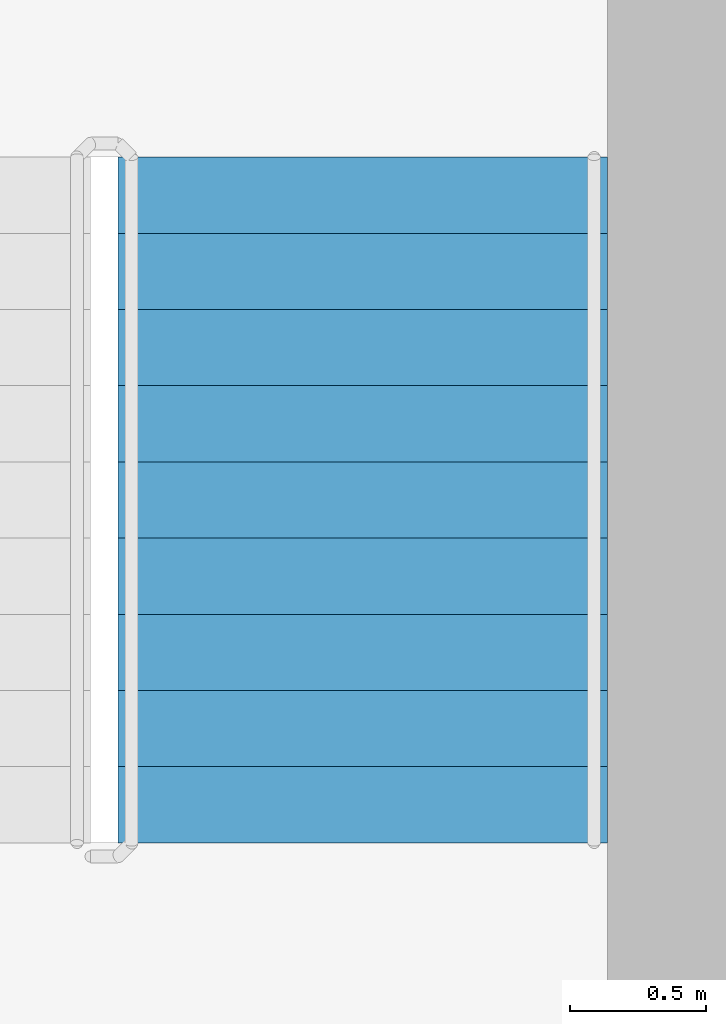
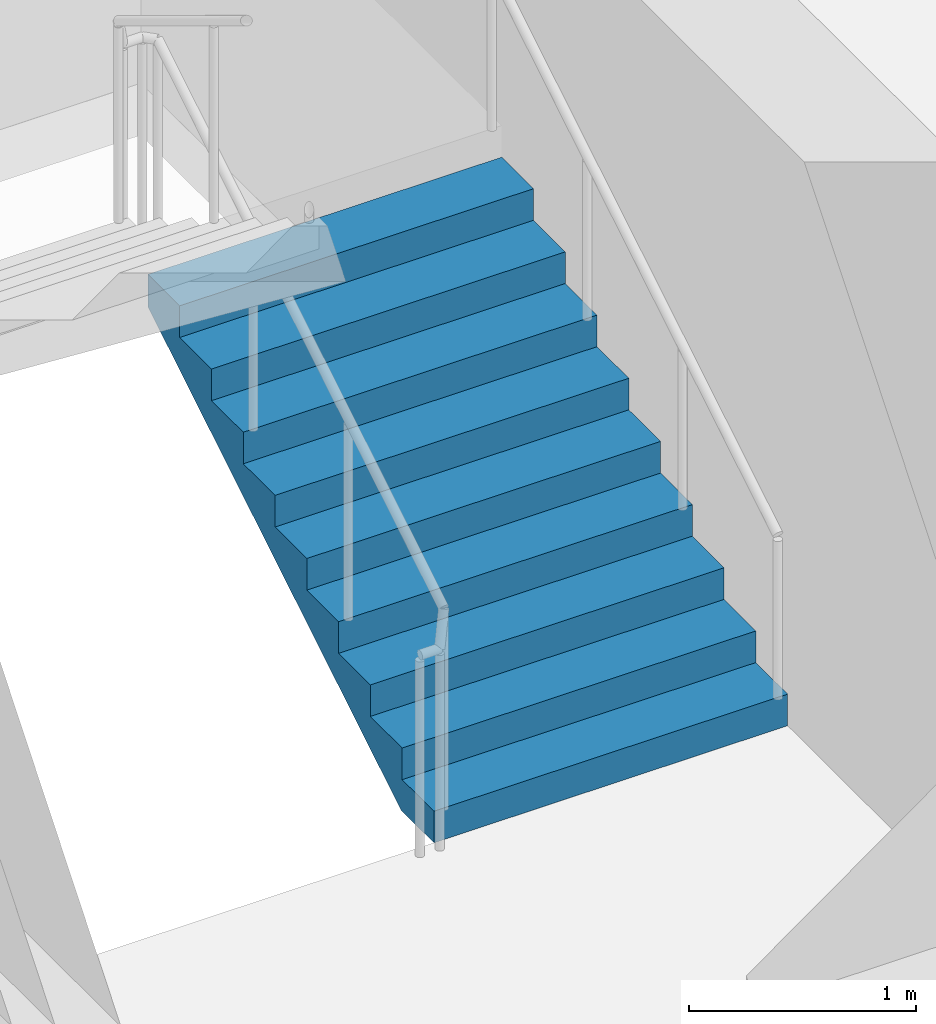
# One storey, part 10 of 18: 1 stair flight, 1 element without a shape of its own.
"""IFC4 building model written with IfcOpenShell, lengths in metres."""

import ifcopenshell
import ifcopenshell.guid

model = None  # the IFC model being written
_history = None  # IfcOwnerHistory: only IFC2X3 demands one
_inside = {}  # id of a spatial element -> (the spatial element, [elements in it])
_under = {}  # id of a project, library or spatial element -> (it, [spatial elements below it])
_declared = {}  # id of a project -> (the project, [libraries it declares])
_typed = {}  # id of a type object -> (the type object, [elements of that type])
_made_of = {}  # id of a material, layer set ... -> (it, [elements and type objects made of it])


def new_model(schema):
    """Start an empty IFC model of exactly this schema.

    Asked for "IFC4X3", IfcOpenShell would pick the latest addendum, in which some entities
    have other attributes; the version numbers below select the first issue.
    IFC2X3 requires an IfcOwnerHistory on every rooted entity: one is made here for all.
    """
    global model, _history
    if schema == "IFC4X3":
        model = ifcopenshell.file(schema_version=(4, 3, 0, 0))
    else:
        model = ifcopenshell.file(schema=schema)
    _inside.clear()
    _under.clear()
    _declared.clear()
    _typed.clear()
    _made_of.clear()
    _history = None
    if model.schema == "IFC2X3":
        org = make("IfcOrganization", Name="unknown")
        user = make(
            "IfcPersonAndOrganization",
            ThePerson=make("IfcPerson", FamilyName="unknown"),
            TheOrganization=org,
        )
        app = make(
            "IfcApplication",
            ApplicationDeveloper=org,
            Version="unknown",
            ApplicationFullName="unknown",
            ApplicationIdentifier="unknown",
        )
        _history = make(
            "IfcOwnerHistory",
            OwningUser=user,
            OwningApplication=app,
            ChangeAction="ADDED",
            CreationDate=0,
        )
    return model


def make(cls, **values):
    """One entity of the class cls with the attributes given. An attribute that is None is left unset."""
    return model.create_entity(
        cls, **{name: value for name, value in values.items() if value is not None}
    )


def rooted(cls, **values):
    """An entity with a GlobalId (a new one), such as an element, a storey or a relation."""
    return make(cls, GlobalId=ifcopenshell.guid.new(), OwnerHistory=_history, **values)


def si_unit(unit_type, name, prefix=None):
    """IfcSIUnit, for example si_unit("LENGTHUNIT", "METRE", prefix="MILLI")."""
    return make("IfcSIUnit", UnitType=unit_type, Prefix=prefix, Name=name)


def assignment(units):
    """IfcUnitAssignment: the units of a project."""
    return None if units is None else make("IfcUnitAssignment", Units=units)


def point(xyz):
    """IfcCartesianPoint."""
    return None if xyz is None else make("IfcCartesianPoint", Coordinates=xyz)


def direction(xyz):
    """IfcDirection."""
    return None if xyz is None else make("IfcDirection", DirectionRatios=xyz)


def frame(location, z_axis=None, x_axis=None):
    """IfcAxis2Placement3D, a coordinate frame: its origin and axes. An axis left out is left unset."""
    return make(
        "IfcAxis2Placement3D",
        Location=point(location),
        Axis=direction(z_axis),
        RefDirection=direction(x_axis),
    )


def origin():
    """The frame at (0, 0, 0) with its axes left unset."""
    return frame((0.0, 0.0, 0.0))


def place(relative_to, where):
    """IfcLocalPlacement: puts the frame where relative to a parent placement (None: the world)."""
    return make(
        "IfcLocalPlacement", PlacementRelTo=relative_to, RelativePlacement=where
    )


def context(
    kind, dimensions, precision=None, world=None, true_north=None, identifier=None
):
    """IfcGeometricRepresentationContext, for example the 3D "Model" context."""
    return make(
        "IfcGeometricRepresentationContext",
        ContextIdentifier=identifier,
        ContextType=kind,
        CoordinateSpaceDimension=dimensions,
        Precision=precision,
        WorldCoordinateSystem=world,
        TrueNorth=true_north,
    )


def subcontext(parent, identifier, kind, view, scale=None):
    """IfcGeometricRepresentationSubContext, for example "Body" below "Model"."""
    return make(
        "IfcGeometricRepresentationSubContext",
        ContextIdentifier=identifier,
        ContextType=kind,
        ParentContext=parent,
        TargetScale=scale,
        TargetView=view,
    )


def project(units=None, contexts=None):
    """IfcProject with its units and contexts."""
    return rooted(
        "IfcProject",
        Name="project",
        RepresentationContexts=contexts,
        UnitsInContext=assignment(units),
    )


def spatial(cls, under=None, at=None, **own):
    """A site, building, storey or space (cls), placed at a placement, below another one or the project."""
    s = rooted(cls, ObjectPlacement=at, **own)
    if under is not None:
        _under.setdefault(under.id(), (under, []))[1].append(s)
    return s


def point_list(points):
    """IfcCartesianPointList2D or 3D."""
    cls = (
        "IfcCartesianPointList2D" if len(points[0]) == 2 else "IfcCartesianPointList3D"
    )
    return make(cls, CoordList=points)


def triangles(points, corners, closed=None, point_numbers=None):
    """IfcTriangulatedFaceSet: each triangle names its three corners, points numbered from 1."""
    return make(
        "IfcTriangulatedFaceSet",
        Coordinates=point_list(points),
        Closed=closed,
        CoordIndex=corners,
        PnIndex=point_numbers,
    )


def shape(context_of_items, identifier, shape_type, items):
    """IfcShapeRepresentation: the items that make up one representation, for example the "Body"."""
    return make(
        "IfcShapeRepresentation",
        ContextOfItems=context_of_items,
        RepresentationIdentifier=identifier,
        RepresentationType=shape_type,
        Items=items,
    )


def source(mapping_origin, context_of_items, identifier, shape_type, items):
    """IfcRepresentationMap: a shape defined once, which mapped items show again and again."""
    return make(
        "IfcRepresentationMap",
        MappingOrigin=mapping_origin,
        MappedRepresentation=shape(context_of_items, identifier, shape_type, items),
    )


def transform(
    local_origin,
    x_axis=None,
    y_axis=None,
    z_axis=None,
    scale=None,
    scale2=None,
    scale3=None,
    uniform=True,
):
    """IfcCartesianTransformationOperator3D, or its non-uniform kind. x_axis, y_axis, z_axis: its Axis1, 2, 3."""
    if uniform:
        return make(
            "IfcCartesianTransformationOperator3D",
            Axis1=direction(x_axis),
            Axis2=direction(y_axis),
            LocalOrigin=point(local_origin),
            Scale=scale,
            Axis3=direction(z_axis),
        )
    return make(
        "IfcCartesianTransformationOperator3DnonUniform",
        Axis1=direction(x_axis),
        Axis2=direction(y_axis),
        LocalOrigin=point(local_origin),
        Scale=scale,
        Axis3=direction(z_axis),
        Scale2=scale2,
        Scale3=scale3,
    )


def mapped(mapping_source, mapping_target):
    """IfcMappedItem: shows the shape of a source again, moved by a transform."""
    return make(
        "IfcMappedItem", MappingSource=mapping_source, MappingTarget=mapping_target
    )


def material(Name=None, Category=None):
    """IfcMaterial."""
    return make("IfcMaterial", Name=Name, Category=Category)


def made_of(thing, what):
    """Note that an element or type object is made of a material, layer set ...; save() writes the relation."""
    if what is not None:
        _made_of.setdefault(what.id(), (what, []))[1].append(thing)
    return thing


def type_object(cls, material=None, **own):
    """A type object (cls), such as IfcWallType, which elements share."""
    return made_of(rooted(cls, **own), material)


def element(
    cls,
    number,
    at=None,
    inside=None,
    cuts=None,
    type_object=None,
    material=None,
    context=None,
    identifier="Body",
    shape_type=None,
    held_by="IfcProductDefinitionShape",
    body=None,
    shapes=None,
    **own,
):
    """One element of the class cls, such as IfcWall. Its Tag is "e" and its number.

    at: its placement. inside: the storey or other place that contains it. cuts: it is an
    opening in that element (IfcRelVoidsElement). A single representation is given by context,
    identifier, shape_type and body (its items); several are given by shapes. held_by: the class
    of the entity that holds the representations. save() writes the other relations.
    """
    e = rooted(cls, Tag="e%d" % number, ObjectPlacement=at, **own)
    if body is not None:
        shapes = [shape(context, identifier, shape_type, body)]
    if shapes is not None:
        e.Representation = make(held_by, Representations=shapes)
    if inside is not None:
        _inside.setdefault(inside.id(), (inside, []))[1].append(e)
    if cuts is not None:
        rooted(
            "IfcRelVoidsElement", RelatingBuildingElement=cuts, RelatedOpeningElement=e
        )
    if type_object is not None:
        _typed.setdefault(type_object.id(), (type_object, []))[1].append(e)
    return made_of(e, material)


def aggregate(whole, parts):
    """IfcRelAggregates: a whole, such as a stair, and the parts it consists of."""
    return rooted("IfcRelAggregates", RelatingObject=whole, RelatedObjects=parts)


def save(model, path):
    """Write the relations noted so far, then the file.

    IfcRelAggregates (storeys below a building ...), IfcRelContainedInSpatialStructure (elements
    in a storey), IfcRelDefinesByType, IfcRelAssociatesMaterial and IfcRelDeclares: one each for
    every whole, place, type object, material and project.
    """
    for whole, parts in _under.values():
        aggregate(whole, parts)
    for where, things in _inside.values():
        rooted(
            "IfcRelContainedInSpatialStructure",
            RelatedElements=things,
            RelatingStructure=where,
        )
    for kind, things in _typed.values():
        rooted("IfcRelDefinesByType", RelatedObjects=things, RelatingType=kind)
    for what, things in _made_of.values():
        rooted("IfcRelAssociatesMaterial", RelatedObjects=things, RelatingMaterial=what)
    for by, libraries in _declared.values():
        rooted("IfcRelDeclares", RelatingContext=by, RelatedDefinitions=libraries)
    model.write(path)


model = new_model("IFC4")

# Units and contexts
model_context = context("Model", 3, precision=1e-05, world=origin(), true_north=direction((0.0, 1.0)))
body_context = subcontext(model_context, "Body", "Model", "MODEL_VIEW")
ifc_project = project(units=[si_unit("LENGTHUNIT", "METRE"), si_unit("AREAUNIT", "SQUARE_METRE"), si_unit("VOLUMEUNIT", "CUBIC_METRE"), si_unit("PLANEANGLEUNIT", "RADIAN"), si_unit("MASSUNIT", "GRAM", prefix="KILO")], contexts=[model_context])

# Site, building, storey
site_placement = place(None, origin())
site = spatial("IfcSite", under=ifc_project, at=site_placement, CompositionType="ELEMENT")
building_placement = place(site_placement, origin())
building = spatial("IfcBuilding", under=site, at=building_placement, Name="Kilnfold Tower and Market Hall", CompositionType="ELEMENT")
storey_placement = place(building_placement, frame((0.0, 0.0, 312.0)))
storey = spatial("IfcBuildingStorey", under=building, at=storey_placement, Name="L78", CompositionType="ELEMENT", Elevation=312.0)

# Stair, stair flight
ifc_material_1 = material(Name="Concrete C40/50", Category="concrete")
stair_type = type_object("IfcStairType", Name="CORE STAIR 1800", PredefinedType="HALF_TURN_STAIR", material=ifc_material_1)
stair_placement = place(storey_placement, origin())
stair = element("IfcStair", 1, at=stair_placement, inside=storey, type_object=stair_type, Name="L78 ST2", PredefinedType="HALF_TURN_STAIR")
ifc_material_2 = material(Name="Concrete C40/50", Category="concrete")
stair_flight_type = type_object("IfcStairFlightType", Name="CORE STAIR FLIGHT 1800", PredefinedType="STRAIGHT", material=ifc_material_2)
shared_shape = source(origin(), body_context, "Body", "Tessellation", [
    triangles([(0.0, 0.89990234375, 0.0), (0.0, 0.78759765625, 0.0), (0.0, 0.675048828125, 0.0), (0.0, 0.5625, 0.0), (0.0, 0.449951171875, 0.0), (0.0, 0.33740234375, 0.0), (0.0, 0.22509765625, 0.0), (0.0, 0.112548828125, 0.0), (0.0, 0.0, 0.0), (0.0, -0.112548828125, 0.0), (0.0, -0.22509765625, 0.0), (0.0, -0.33740234375, 0.0), (0.0, -0.449951171875, 0.0), (0.0, -0.5625, 0.0), (0.0, -0.675048828125, 0.0), (0.0, -0.78759765625, 0.0), (0.0, -0.89990234375, 0.0), (0.0, 0.89990234375, 0.169921875), (0.0, 0.78759765625, 0.169921875), (0.0, 0.675048828125, 0.169921875), (0.0, 0.5625, 0.169921875), (0.0, 0.449951171875, 0.169921875), (0.0, 0.33740234375, 0.169921875), (0.0, 0.22509765625, 0.169921875), (0.0, 0.112548828125, 0.169921875), (0.0, 0.0, 0.169921875), (0.0, -0.112548828125, 0.169921875), (0.0, -0.22509765625, 0.169921875), (0.0, -0.33740234375, 0.169921875), (0.0, -0.449951171875, 0.169921875), (0.0, -0.5625, 0.169921875), (0.0, -0.675048828125, 0.169921875), (0.0, -0.78759765625, 0.169921875), (0.0, -0.89990234375, 0.169921875), (0.280029296875, 0.89990234375, 0.169921875), (0.280029296875, 0.78759765625, 0.169921875), (0.280029296875, 0.675048828125, 0.169921875), (0.280029296875, 0.5625, 0.169921875), (0.280029296875, 0.449951171875, 0.169921875), (0.280029296875, 0.33740234375, 0.169921875), (0.280029296875, 0.22509765625, 0.169921875), (0.280029296875, 0.112548828125, 0.169921875), (0.280029296875, 0.0, 0.169921875), (0.280029296875, -0.112548828125, 0.169921875), (0.280029296875, -0.22509765625, 0.169921875), (0.280029296875, -0.33740234375, 0.169921875), (0.280029296875, -0.449951171875, 0.169921875), (0.280029296875, -0.5625, 0.169921875), (0.280029296875, -0.675048828125, 0.169921875), (0.280029296875, -0.78759765625, 0.169921875), (0.280029296875, -0.89990234375, 0.169921875), (0.280029296875, 0.89990234375, 0.340087890625), (0.280029296875, 0.78759765625, 0.340087890625), (0.280029296875, 0.675048828125, 0.340087890625), (0.280029296875, 0.5625, 0.340087890625), (0.280029296875, 0.449951171875, 0.340087890625), (0.280029296875, 0.33740234375, 0.340087890625), (0.280029296875, 0.22509765625, 0.340087890625), (0.280029296875, 0.112548828125, 0.340087890625), (0.280029296875, 0.0, 0.340087890625), (0.280029296875, -0.112548828125, 0.340087890625), (0.280029296875, -0.22509765625, 0.340087890625), (0.280029296875, -0.33740234375, 0.340087890625), (0.280029296875, -0.449951171875, 0.340087890625), (0.280029296875, -0.5625, 0.340087890625), (0.280029296875, -0.675048828125, 0.340087890625), (0.280029296875, -0.78759765625, 0.340087890625), (0.280029296875, -0.89990234375, 0.340087890625), (0.56005859375, 0.89990234375, 0.340087890625), (0.56005859375, 0.78759765625, 0.340087890625), (0.56005859375, 0.675048828125, 0.340087890625), (0.56005859375, 0.5625, 0.340087890625), (0.56005859375, 0.449951171875, 0.340087890625), (0.56005859375, 0.33740234375, 0.340087890625), (0.56005859375, 0.22509765625, 0.340087890625), (0.56005859375, 0.112548828125, 0.340087890625), (0.56005859375, 0.0, 0.340087890625), (0.56005859375, -0.112548828125, 0.340087890625), (0.56005859375, -0.22509765625, 0.340087890625), (0.56005859375, -0.33740234375, 0.340087890625), (0.56005859375, -0.449951171875, 0.340087890625), (0.56005859375, -0.5625, 0.340087890625), (0.56005859375, -0.675048828125, 0.340087890625), (0.56005859375, -0.78759765625, 0.340087890625), (0.56005859375, -0.89990234375, 0.340087890625), (0.56005859375, 0.89990234375, 0.510009765625), (0.56005859375, 0.78759765625, 0.510009765625), (0.56005859375, 0.675048828125, 0.510009765625), (0.56005859375, 0.5625, 0.510009765625), (0.56005859375, 0.449951171875, 0.510009765625), (0.56005859375, 0.33740234375, 0.510009765625), (0.56005859375, 0.22509765625, 0.510009765625), (0.56005859375, 0.112548828125, 0.510009765625), (0.56005859375, 0.0, 0.510009765625), (0.56005859375, -0.112548828125, 0.510009765625), (0.56005859375, -0.22509765625, 0.510009765625), (0.56005859375, -0.33740234375, 0.510009765625), (0.56005859375, -0.449951171875, 0.510009765625), (0.56005859375, -0.5625, 0.510009765625), (0.56005859375, -0.675048828125, 0.510009765625), (0.56005859375, -0.78759765625, 0.510009765625), (0.56005859375, -0.89990234375, 0.510009765625), (0.840087890625, 0.89990234375, 0.510009765625), (0.840087890625, 0.78759765625, 0.510009765625), (0.840087890625, 0.675048828125, 0.510009765625), (0.840087890625, 0.5625, 0.510009765625), (0.840087890625, 0.449951171875, 0.510009765625), (0.840087890625, 0.33740234375, 0.510009765625), (0.840087890625, 0.22509765625, 0.510009765625), (0.840087890625, 0.112548828125, 0.510009765625), (0.840087890625, 0.0, 0.510009765625), (0.840087890625, -0.112548828125, 0.510009765625), (0.840087890625, -0.22509765625, 0.510009765625), (0.840087890625, -0.33740234375, 0.510009765625), (0.840087890625, -0.449951171875, 0.510009765625), (0.840087890625, -0.5625, 0.510009765625), (0.840087890625, -0.675048828125, 0.510009765625), (0.840087890625, -0.78759765625, 0.510009765625), (0.840087890625, -0.89990234375, 0.510009765625), (0.840087890625, 0.89990234375, 0.679931640625), (0.840087890625, 0.78759765625, 0.679931640625), (0.840087890625, 0.675048828125, 0.679931640625), (0.840087890625, 0.5625, 0.679931640625), (0.840087890625, 0.449951171875, 0.679931640625), (0.840087890625, 0.33740234375, 0.679931640625), (0.840087890625, 0.22509765625, 0.679931640625), (0.840087890625, 0.112548828125, 0.679931640625), (0.840087890625, 0.0, 0.679931640625), (0.840087890625, -0.112548828125, 0.679931640625), (0.840087890625, -0.22509765625, 0.679931640625), (0.840087890625, -0.33740234375, 0.679931640625), (0.840087890625, -0.449951171875, 0.679931640625), (0.840087890625, -0.5625, 0.679931640625), (0.840087890625, -0.675048828125, 0.679931640625), (0.840087890625, -0.78759765625, 0.679931640625), (0.840087890625, -0.89990234375, 0.679931640625), (1.1201171875, 0.89990234375, 0.679931640625), (1.1201171875, 0.78759765625, 0.679931640625), (1.1201171875, 0.675048828125, 0.679931640625), (1.1201171875, 0.5625, 0.679931640625), (1.1201171875, 0.449951171875, 0.679931640625), (1.1201171875, 0.33740234375, 0.679931640625), (1.1201171875, 0.22509765625, 0.679931640625), (1.1201171875, 0.112548828125, 0.679931640625), (1.1201171875, 0.0, 0.679931640625), (1.1201171875, -0.112548828125, 0.679931640625), (1.1201171875, -0.22509765625, 0.679931640625), (1.1201171875, -0.33740234375, 0.679931640625), (1.1201171875, -0.449951171875, 0.679931640625), (1.1201171875, -0.5625, 0.679931640625), (1.1201171875, -0.675048828125, 0.679931640625), (1.1201171875, -0.78759765625, 0.679931640625), (1.1201171875, -0.89990234375, 0.679931640625), (1.1201171875, 0.89990234375, 0.85009765625), (1.1201171875, 0.78759765625, 0.85009765625), (1.1201171875, 0.675048828125, 0.85009765625), (1.1201171875, 0.5625, 0.85009765625), (1.1201171875, 0.449951171875, 0.85009765625), (1.1201171875, 0.33740234375, 0.85009765625), (1.1201171875, 0.22509765625, 0.85009765625), (1.1201171875, 0.112548828125, 0.85009765625), (1.1201171875, 0.0, 0.85009765625), (1.1201171875, -0.112548828125, 0.85009765625), (1.1201171875, -0.22509765625, 0.85009765625), (1.1201171875, -0.33740234375, 0.85009765625), (1.1201171875, -0.449951171875, 0.85009765625), (1.1201171875, -0.5625, 0.85009765625), (1.1201171875, -0.675048828125, 0.85009765625), (1.1201171875, -0.78759765625, 0.85009765625), (1.1201171875, -0.89990234375, 0.85009765625), (1.39990234375, 0.89990234375, 0.85009765625), (1.39990234375, 0.78759765625, 0.85009765625), (1.39990234375, 0.675048828125, 0.85009765625), (1.39990234375, 0.5625, 0.85009765625), (1.39990234375, 0.449951171875, 0.85009765625), (1.39990234375, 0.33740234375, 0.85009765625), (1.39990234375, 0.22509765625, 0.85009765625), (1.39990234375, 0.112548828125, 0.85009765625), (1.39990234375, 0.0, 0.85009765625), (1.39990234375, -0.112548828125, 0.85009765625), (1.39990234375, -0.22509765625, 0.85009765625), (1.39990234375, -0.33740234375, 0.85009765625), (1.39990234375, -0.449951171875, 0.85009765625), (1.39990234375, -0.5625, 0.85009765625), (1.39990234375, -0.675048828125, 0.85009765625), (1.39990234375, -0.78759765625, 0.85009765625), (1.39990234375, -0.89990234375, 0.85009765625), (1.39990234375, 0.89990234375, 1.02001953125), (1.39990234375, 0.78759765625, 1.02001953125), (1.39990234375, 0.675048828125, 1.02001953125), (1.39990234375, 0.5625, 1.02001953125), (1.39990234375, 0.449951171875, 1.02001953125), (1.39990234375, 0.33740234375, 1.02001953125), (1.39990234375, 0.22509765625, 1.02001953125), (1.39990234375, 0.112548828125, 1.02001953125), (1.39990234375, 0.0, 1.02001953125), (1.39990234375, -0.112548828125, 1.02001953125), (1.39990234375, -0.22509765625, 1.02001953125), (1.39990234375, -0.33740234375, 1.02001953125), (1.39990234375, -0.449951171875, 1.02001953125), (1.39990234375, -0.5625, 1.02001953125), (1.39990234375, -0.675048828125, 1.02001953125), (1.39990234375, -0.78759765625, 1.02001953125), (1.39990234375, -0.89990234375, 1.02001953125), (1.679931640625, 0.89990234375, 1.02001953125), (1.679931640625, 0.78759765625, 1.02001953125), (1.679931640625, 0.675048828125, 1.02001953125), (1.679931640625, 0.5625, 1.02001953125), (1.679931640625, 0.449951171875, 1.02001953125), (1.679931640625, 0.33740234375, 1.02001953125), (1.679931640625, 0.22509765625, 1.02001953125), (1.679931640625, 0.112548828125, 1.02001953125), (1.679931640625, 0.0, 1.02001953125), (1.679931640625, -0.112548828125, 1.02001953125), (1.679931640625, -0.22509765625, 1.02001953125), (1.679931640625, -0.33740234375, 1.02001953125), (1.679931640625, -0.449951171875, 1.02001953125), (1.679931640625, -0.5625, 1.02001953125), (1.679931640625, -0.675048828125, 1.02001953125), (1.679931640625, -0.78759765625, 1.02001953125), (1.679931640625, -0.89990234375, 1.02001953125), (1.679931640625, 0.89990234375, 1.18994140625), (1.679931640625, 0.78759765625, 1.18994140625), (1.679931640625, 0.675048828125, 1.18994140625), (1.679931640625, 0.5625, 1.18994140625), (1.679931640625, 0.449951171875, 1.18994140625), (1.679931640625, 0.33740234375, 1.18994140625), (1.679931640625, 0.22509765625, 1.18994140625), (1.679931640625, 0.112548828125, 1.18994140625), (1.679931640625, 0.0, 1.18994140625), (1.679931640625, -0.112548828125, 1.18994140625), (1.679931640625, -0.22509765625, 1.18994140625), (1.679931640625, -0.33740234375, 1.18994140625), (1.679931640625, -0.449951171875, 1.18994140625), (1.679931640625, -0.5625, 1.18994140625), (1.679931640625, -0.675048828125, 1.18994140625), (1.679931640625, -0.78759765625, 1.18994140625), (1.679931640625, -0.89990234375, 1.18994140625), (1.9599609375, 0.89990234375, 1.18994140625), (1.9599609375, 0.78759765625, 1.18994140625), (1.9599609375, 0.675048828125, 1.18994140625), (1.9599609375, 0.5625, 1.18994140625), (1.9599609375, 0.449951171875, 1.18994140625), (1.9599609375, 0.33740234375, 1.18994140625), (1.9599609375, 0.22509765625, 1.18994140625), (1.9599609375, 0.112548828125, 1.18994140625), (1.9599609375, 0.0, 1.18994140625), (1.9599609375, -0.112548828125, 1.18994140625), (1.9599609375, -0.22509765625, 1.18994140625), (1.9599609375, -0.33740234375, 1.18994140625), (1.9599609375, -0.449951171875, 1.18994140625), (1.9599609375, -0.5625, 1.18994140625), (1.9599609375, -0.675048828125, 1.18994140625), (1.9599609375, -0.78759765625, 1.18994140625), (1.9599609375, -0.89990234375, 1.18994140625), (1.9599609375, 0.89990234375, 1.360107421875), (1.9599609375, 0.78759765625, 1.360107421875), (1.9599609375, 0.675048828125, 1.360107421875), (1.9599609375, 0.5625, 1.360107421875), (1.9599609375, 0.449951171875, 1.360107421875), (1.9599609375, 0.33740234375, 1.360107421875), (1.9599609375, 0.22509765625, 1.360107421875), (1.9599609375, 0.112548828125, 1.360107421875), (1.9599609375, 0.0, 1.360107421875), (1.9599609375, -0.112548828125, 1.360107421875), (1.9599609375, -0.22509765625, 1.360107421875), (1.9599609375, -0.33740234375, 1.360107421875), (1.9599609375, -0.449951171875, 1.360107421875), (1.9599609375, -0.5625, 1.360107421875), (1.9599609375, -0.675048828125, 1.360107421875), (1.9599609375, -0.78759765625, 1.360107421875), (1.9599609375, -0.89990234375, 1.360107421875), (2.239990234375, 0.89990234375, 1.360107421875), (2.239990234375, 0.78759765625, 1.360107421875), (2.239990234375, 0.675048828125, 1.360107421875), (2.239990234375, 0.5625, 1.360107421875), (2.239990234375, 0.449951171875, 1.360107421875), (2.239990234375, 0.33740234375, 1.360107421875), (2.239990234375, 0.22509765625, 1.360107421875), (2.239990234375, 0.112548828125, 1.360107421875), (2.239990234375, 0.0, 1.360107421875), (2.239990234375, -0.112548828125, 1.360107421875), (2.239990234375, -0.22509765625, 1.360107421875), (2.239990234375, -0.33740234375, 1.360107421875), (2.239990234375, -0.449951171875, 1.360107421875), (2.239990234375, -0.5625, 1.360107421875), (2.239990234375, -0.675048828125, 1.360107421875), (2.239990234375, -0.78759765625, 1.360107421875), (2.239990234375, -0.89990234375, 1.360107421875), (2.239990234375, 0.89990234375, 1.530029296875), (2.239990234375, 0.78759765625, 1.530029296875), (2.239990234375, 0.675048828125, 1.530029296875), (2.239990234375, 0.5625, 1.530029296875), (2.239990234375, 0.449951171875, 1.530029296875), (2.239990234375, 0.33740234375, 1.530029296875), (2.239990234375, 0.22509765625, 1.530029296875), (2.239990234375, 0.112548828125, 1.530029296875), (2.239990234375, 0.0, 1.530029296875), (2.239990234375, -0.112548828125, 1.530029296875), (2.239990234375, -0.22509765625, 1.530029296875), (2.239990234375, -0.33740234375, 1.530029296875), (2.239990234375, -0.449951171875, 1.530029296875), (2.239990234375, -0.5625, 1.530029296875), (2.239990234375, -0.675048828125, 1.530029296875), (2.239990234375, -0.78759765625, 1.530029296875), (2.239990234375, -0.89990234375, 1.530029296875), (2.52001953125, 0.89990234375, 1.530029296875), (2.52001953125, 0.78759765625, 1.530029296875), (2.52001953125, 0.675048828125, 1.530029296875), (2.52001953125, 0.5625, 1.530029296875), (2.52001953125, 0.449951171875, 1.530029296875), (2.52001953125, 0.33740234375, 1.530029296875), (2.52001953125, 0.22509765625, 1.530029296875), (2.52001953125, 0.112548828125, 1.530029296875), (2.52001953125, 0.0, 1.530029296875), (2.52001953125, -0.112548828125, 1.530029296875), (2.52001953125, -0.22509765625, 1.530029296875), (2.52001953125, -0.33740234375, 1.530029296875), (2.52001953125, -0.449951171875, 1.530029296875), (2.52001953125, -0.5625, 1.530029296875), (2.52001953125, -0.675048828125, 1.530029296875), (2.52001953125, -0.78759765625, 1.530029296875), (2.52001953125, -0.89990234375, 1.530029296875), (2.52001953125, 0.89990234375, 1.354736328125), (2.52001953125, 0.78759765625, 1.354736328125), (2.52001953125, 0.675048828125, 1.354736328125), (2.52001953125, 0.5625, 1.354736328125), (2.52001953125, 0.449951171875, 1.354736328125), (2.52001953125, 0.33740234375, 1.354736328125), (2.52001953125, 0.22509765625, 1.354736328125), (2.52001953125, 0.112548828125, 1.354736328125), (2.52001953125, 0.0, 1.354736328125), (2.52001953125, -0.112548828125, 1.354736328125), (2.52001953125, -0.22509765625, 1.354736328125), (2.52001953125, -0.33740234375, 1.354736328125), (2.52001953125, -0.449951171875, 1.354736328125), (2.52001953125, -0.5625, 1.354736328125), (2.52001953125, -0.675048828125, 1.354736328125), (2.52001953125, -0.78759765625, 1.354736328125), (2.52001953125, -0.89990234375, 1.354736328125), (0.288818359375, 0.89990234375, 0.0), (0.288818359375, 0.78759765625, 0.0), (0.288818359375, 0.675048828125, 0.0), (0.288818359375, 0.5625, 0.0), (0.288818359375, 0.449951171875, 0.0), (0.288818359375, 0.33740234375, 0.0), (0.288818359375, 0.22509765625, 0.0), (0.288818359375, 0.112548828125, 0.0), (0.288818359375, 0.0, 0.0), (0.288818359375, -0.112548828125, 0.0), (0.288818359375, -0.22509765625, 0.0), (0.288818359375, -0.33740234375, 0.0), (0.288818359375, -0.449951171875, 0.0), (0.288818359375, -0.5625, 0.0), (0.288818359375, -0.675048828125, 0.0), (0.288818359375, -0.78759765625, 0.0), (0.288818359375, -0.89990234375, 0.0)], [[1, 324, 341], [17, 357, 340], [324, 290, 307], [340, 323, 306], [324, 273, 290], [340, 306, 289], [324, 256, 273], [340, 289, 272], [324, 239, 256], [340, 272, 255], [239, 205, 222], [255, 238, 221], [324, 205, 239], [340, 255, 221], [205, 171, 188], [221, 204, 187], [324, 171, 205], [340, 221, 187], [171, 137, 154], [187, 170, 153], [324, 137, 171], [340, 187, 153], [137, 103, 120], [153, 136, 119], [324, 103, 137], [340, 153, 119], [103, 69, 86], [119, 102, 85], [324, 69, 103], [340, 119, 85], [69, 35, 52], [85, 68, 51], [324, 35, 69], [340, 85, 51], [1, 35, 324], [17, 340, 51], [35, 1, 18], [51, 34, 17], [1, 19, 18], [1, 2, 19], [2, 20, 19], [2, 3, 20], [3, 21, 20], [3, 4, 21], [4, 22, 21], [4, 5, 22], [5, 23, 22], [5, 6, 23], [6, 24, 23], [6, 7, 24], [7, 25, 24], [7, 8, 25], [8, 26, 25], [8, 9, 26], [9, 27, 26], [9, 10, 27], [10, 28, 27], [10, 11, 28], [11, 29, 28], [11, 12, 29], [12, 30, 29], [12, 13, 30], [13, 31, 30], [13, 14, 31], [14, 32, 31], [14, 15, 32], [15, 33, 32], [15, 16, 33], [16, 34, 33], [16, 17, 34], [18, 36, 35], [18, 19, 36], [19, 37, 36], [19, 20, 37], [20, 38, 37], [20, 21, 38], [21, 39, 38], [21, 22, 39], [22, 40, 39], [22, 23, 40], [23, 41, 40], [23, 24, 41], [24, 42, 41], [24, 25, 42], [25, 43, 42], [25, 26, 43], [26, 44, 43], [26, 27, 44], [27, 45, 44], [27, 28, 45], [28, 46, 45], [28, 29, 46], [29, 47, 46], [29, 30, 47], [30, 48, 47], [30, 31, 48], [31, 49, 48], [31, 32, 49], [32, 50, 49], [32, 33, 50], [33, 51, 50], [33, 34, 51], [35, 53, 52], [35, 36, 53], [36, 54, 53], [36, 37, 54], [37, 55, 54], [37, 38, 55], [38, 56, 55], [38, 39, 56], [39, 57, 56], [39, 40, 57], [40, 58, 57], [40, 41, 58], [41, 59, 58], [41, 42, 59], [42, 60, 59], [42, 43, 60], [43, 61, 60], [43, 44, 61], [44, 62, 61], [44, 45, 62], [45, 63, 62], [45, 46, 63], [46, 64, 63], [46, 47, 64], [47, 65, 64], [47, 48, 65], [48, 66, 65], [48, 49, 66], [49, 67, 66], [49, 50, 67], [50, 68, 67], [50, 51, 68], [52, 70, 69], [52, 53, 70], [53, 71, 70], [53, 54, 71], [54, 72, 71], [54, 55, 72], [55, 73, 72], [55, 56, 73], [56, 74, 73], [56, 57, 74], [57, 75, 74], [57, 58, 75], [58, 76, 75], [58, 59, 76], [59, 77, 76], [59, 60, 77], [60, 78, 77], [60, 61, 78], [61, 79, 78], [61, 62, 79], [62, 80, 79], [62, 63, 80], [63, 81, 80], [63, 64, 81], [64, 82, 81], [64, 65, 82], [65, 83, 82], [65, 66, 83], [66, 84, 83], [66, 67, 84], [67, 85, 84], [67, 68, 85], [69, 87, 86], [69, 70, 87], [70, 88, 87], [70, 71, 88], [71, 89, 88], [71, 72, 89], [72, 90, 89], [72, 73, 90], [73, 91, 90], [73, 74, 91], [74, 92, 91], [74, 75, 92], [75, 93, 92], [75, 76, 93], [76, 94, 93], [76, 77, 94], [77, 95, 94], [77, 78, 95], [78, 96, 95], [78, 79, 96], [79, 97, 96], [79, 80, 97], [80, 98, 97], [80, 81, 98], [81, 99, 98], [81, 82, 99], [82, 100, 99], [82, 83, 100], [83, 101, 100], [83, 84, 101], [84, 102, 101], [84, 85, 102], [86, 104, 103], [86, 87, 104], [87, 105, 104], [87, 88, 105], [88, 106, 105], [88, 89, 106], [89, 107, 106], [89, 90, 107], [90, 108, 107], [90, 91, 108], [91, 109, 108], [91, 92, 109], [92, 110, 109], [92, 93, 110], [93, 111, 110], [93, 94, 111], [94, 112, 111], [94, 95, 112], [95, 113, 112], [95, 96, 113], [96, 114, 113], [96, 97, 114], [97, 115, 114], [97, 98, 115], [98, 116, 115], [98, 99, 116], [99, 117, 116], [99, 100, 117], [100, 118, 117], [100, 101, 118], [101, 119, 118], [101, 102, 119], [103, 121, 120], [103, 104, 121], [104, 122, 121], [104, 105, 122], [105, 123, 122], [105, 106, 123], [106, 124, 123], [106, 107, 124], [107, 125, 124], [107, 108, 125], [108, 126, 125], [108, 109, 126], [109, 127, 126], [109, 110, 127], [110, 128, 127], [110, 111, 128], [111, 129, 128], [111, 112, 129], [112, 130, 129], [112, 113, 130], [113, 131, 130], [113, 114, 131], [114, 132, 131], [114, 115, 132], [115, 133, 132], [115, 116, 133], [116, 134, 133], [116, 117, 134], [117, 135, 134], [117, 118, 135], [118, 136, 135], [118, 119, 136], [120, 138, 137], [120, 121, 138], [121, 139, 138], [121, 122, 139], [122, 140, 139], [122, 123, 140], [123, 141, 140], [123, 124, 141], [124, 142, 141], [124, 125, 142], [125, 143, 142], [125, 126, 143], [126, 144, 143], [126, 127, 144], [127, 145, 144], [127, 128, 145], [128, 146, 145], [128, 129, 146], [129, 147, 146], [129, 130, 147], [130, 148, 147], [130, 131, 148], [131, 149, 148], [131, 132, 149], [132, 150, 149], [132, 133, 150], [133, 151, 150], [133, 134, 151], [134, 152, 151], [134, 135, 152], [135, 153, 152], [135, 136, 153], [137, 155, 154], [137, 138, 155], [138, 156, 155], [138, 139, 156], [139, 157, 156], [139, 140, 157], [140, 158, 157], [140, 141, 158], [141, 159, 158], [141, 142, 159], [142, 160, 159], [142, 143, 160], [143, 161, 160], [143, 144, 161], [144, 162, 161], [144, 145, 162], [145, 163, 162], [145, 146, 163], [146, 164, 163], [146, 147, 164], [147, 165, 164], [147, 148, 165], [148, 166, 165], [148, 149, 166], [149, 167, 166], [149, 150, 167], [150, 168, 167], [150, 151, 168], [151, 169, 168], [151, 152, 169], [152, 170, 169], [152, 153, 170], [154, 172, 171], [154, 155, 172], [155, 173, 172], [155, 156, 173], [156, 174, 173], [156, 157, 174], [157, 175, 174], [157, 158, 175], [158, 176, 175], [158, 159, 176], [159, 177, 176], [159, 160, 177], [160, 178, 177], [160, 161, 178], [161, 179, 178], [161, 162, 179], [162, 180, 179], [162, 163, 180], [163, 181, 180], [163, 164, 181], [164, 182, 181], [164, 165, 182], [165, 183, 182], [165, 166, 183], [166, 184, 183], [166, 167, 184], [167, 185, 184], [167, 168, 185], [168, 186, 185], [168, 169, 186], [169, 187, 186], [169, 170, 187], [171, 189, 188], [171, 172, 189], [172, 190, 189], [172, 173, 190], [173, 191, 190], [173, 174, 191], [174, 192, 191], [174, 175, 192], [175, 193, 192], [175, 176, 193], [176, 194, 193], [176, 177, 194], [177, 195, 194], [177, 178, 195], [178, 196, 195], [178, 179, 196], [179, 197, 196], [179, 180, 197], [180, 198, 197], [180, 181, 198], [181, 199, 198], [181, 182, 199], [182, 200, 199], [182, 183, 200], [183, 201, 200], [183, 184, 201], [184, 202, 201], [184, 185, 202], [185, 203, 202], [185, 186, 203], [186, 204, 203], [186, 187, 204], [188, 206, 205], [188, 189, 206], [189, 207, 206], [189, 190, 207], [190, 208, 207], [190, 191, 208], [191, 209, 208], [191, 192, 209], [192, 210, 209], [192, 193, 210], [193, 211, 210], [193, 194, 211], [194, 212, 211], [194, 195, 212], [195, 213, 212], [195, 196, 213], [196, 214, 213], [196, 197, 214], [197, 215, 214], [197, 198, 215], [198, 216, 215], [198, 199, 216], [199, 217, 216], [199, 200, 217], [200, 218, 217], [200, 201, 218], [201, 219, 218], [201, 202, 219], [202, 220, 219], [202, 203, 220], [203, 221, 220], [203, 204, 221], [205, 223, 222], [205, 206, 223], [206, 224, 223], [206, 207, 224], [207, 225, 224], [207, 208, 225], [208, 226, 225], [208, 209, 226], [209, 227, 226], [209, 210, 227], [210, 228, 227], [210, 211, 228], [211, 229, 228], [211, 212, 229], [212, 230, 229], [212, 213, 230], [213, 231, 230], [213, 214, 231], [214, 232, 231], [214, 215, 232], [215, 233, 232], [215, 216, 233], [216, 234, 233], [216, 217, 234], [217, 235, 234], [217, 218, 235], [218, 236, 235], [218, 219, 236], [219, 237, 236], [219, 220, 237], [220, 238, 237], [220, 221, 238], [222, 240, 239], [222, 223, 240], [223, 241, 240], [223, 224, 241], [224, 242, 241], [224, 225, 242], [225, 243, 242], [225, 226, 243], [226, 244, 243], [226, 227, 244], [227, 245, 244], [227, 228, 245], [228, 246, 245], [228, 229, 246], [229, 247, 246], [229, 230, 247], [230, 248, 247], [230, 231, 248], [231, 249, 248], [231, 232, 249], [232, 250, 249], [232, 233, 250], [233, 251, 250], [233, 234, 251], [234, 252, 251], [234, 235, 252], [235, 253, 252], [235, 236, 253], [236, 254, 253], [236, 237, 254], [237, 255, 254], [237, 238, 255], [239, 257, 256], [239, 240, 257], [240, 258, 257], [240, 241, 258], [241, 259, 258], [241, 242, 259], [242, 260, 259], [242, 243, 260], [243, 261, 260], [243, 244, 261], [244, 262, 261], [244, 245, 262], [245, 263, 262], [245, 246, 263], [246, 264, 263], [246, 247, 264], [247, 265, 264], [247, 248, 265], [248, 266, 265], [248, 249, 266], [249, 267, 266], [249, 250, 267], [250, 268, 267], [250, 251, 268], [251, 269, 268], [251, 252, 269], [252, 270, 269], [252, 253, 270], [253, 271, 270], [253, 254, 271], [254, 272, 271], [254, 255, 272], [256, 274, 273], [256, 257, 274], [257, 275, 274], [257, 258, 275], [258, 276, 275], [258, 259, 276], [259, 277, 276], [259, 260, 277], [260, 278, 277], [260, 261, 278], [261, 279, 278], [261, 262, 279], [262, 280, 279], [262, 263, 280], [263, 281, 280], [263, 264, 281], [264, 282, 281], [264, 265, 282], [265, 283, 282], [265, 266, 283], [266, 284, 283], [266, 267, 284], [267, 285, 284], [267, 268, 285], [268, 286, 285], [268, 269, 286], [269, 287, 286], [269, 270, 287], [270, 288, 287], [270, 271, 288], [271, 289, 288], [271, 272, 289], [273, 291, 290], [273, 274, 291], [274, 292, 291], [274, 275, 292], [275, 293, 292], [275, 276, 293], [276, 294, 293], [276, 277, 294], [277, 295, 294], [277, 278, 295], [278, 296, 295], [278, 279, 296], [279, 297, 296], [279, 280, 297], [280, 298, 297], [280, 281, 298], [281, 299, 298], [281, 282, 299], [282, 300, 299], [282, 283, 300], [283, 301, 300], [283, 284, 301], [284, 302, 301], [284, 285, 302], [285, 303, 302], [285, 286, 303], [286, 304, 303], [286, 287, 304], [287, 305, 304], [287, 288, 305], [288, 306, 305], [288, 289, 306], [290, 308, 307], [290, 291, 308], [291, 309, 308], [291, 292, 309], [292, 310, 309], [292, 293, 310], [293, 311, 310], [293, 294, 311], [294, 312, 311], [294, 295, 312], [295, 313, 312], [295, 296, 313], [296, 314, 313], [296, 297, 314], [297, 315, 314], [297, 298, 315], [298, 316, 315], [298, 299, 316], [299, 317, 316], [299, 300, 317], [300, 318, 317], [300, 301, 318], [301, 319, 318], [301, 302, 319], [302, 320, 319], [302, 303, 320], [303, 321, 320], [303, 304, 321], [304, 322, 321], [304, 305, 322], [305, 323, 322], [305, 306, 323], [307, 325, 324], [307, 308, 325], [308, 326, 325], [308, 309, 326], [309, 327, 326], [309, 310, 327], [310, 328, 327], [310, 311, 328], [311, 329, 328], [311, 312, 329], [312, 330, 329], [312, 313, 330], [313, 331, 330], [313, 314, 331], [314, 332, 331], [314, 315, 332], [315, 333, 332], [315, 316, 333], [316, 334, 333], [316, 317, 334], [317, 335, 334], [317, 318, 335], [318, 336, 335], [318, 319, 336], [319, 337, 336], [319, 320, 337], [320, 338, 337], [320, 321, 338], [321, 339, 338], [321, 322, 339], [322, 340, 339], [322, 323, 340], [324, 342, 341], [324, 325, 342], [325, 343, 342], [325, 326, 343], [326, 344, 343], [326, 327, 344], [327, 345, 344], [327, 328, 345], [328, 346, 345], [328, 329, 346], [329, 347, 346], [329, 330, 347], [330, 348, 347], [330, 331, 348], [331, 349, 348], [331, 332, 349], [332, 350, 349], [332, 333, 350], [333, 351, 350], [333, 334, 351], [334, 352, 351], [334, 335, 352], [335, 353, 352], [335, 336, 353], [336, 354, 353], [336, 337, 354], [337, 355, 354], [337, 338, 355], [338, 356, 355], [338, 339, 356], [339, 357, 356], [339, 340, 357], [341, 2, 1], [341, 342, 2], [342, 3, 2], [342, 343, 3], [343, 4, 3], [343, 344, 4], [344, 5, 4], [344, 345, 5], [345, 6, 5], [345, 346, 6], [346, 7, 6], [346, 347, 7], [347, 8, 7], [347, 348, 8], [348, 9, 8], [348, 349, 9], [349, 10, 9], [349, 350, 10], [350, 11, 10], [350, 351, 11], [351, 12, 11], [351, 352, 12], [352, 13, 12], [352, 353, 13], [353, 14, 13], [353, 354, 14], [354, 15, 14], [354, 355, 15], [355, 16, 15], [355, 356, 16], [356, 17, 16], [356, 357, 17]], closed=True),
])
stair_flight_placement = place(storey_placement, frame((16.199951171875, 10.800048828125, 0.0), z_axis=(0.0, 0.0, 1.0), x_axis=(0.0, 1.0, 0.0)))
stair_flight = element("IfcStairFlight", 2, at=stair_flight_placement, type_object=stair_flight_type, Name="ST2 flight 1", NumberOfRisers=10, NumberOfTreads=9, PredefinedType="STRAIGHT", RiserHeight=0.17, TreadLength=0.28, context=body_context, shape_type="MappedRepresentation", body=[
    mapped(shared_shape, transform((0.0, 0.0, 0.0))),
])
aggregate(stair, [stair_flight])

save(model, "model.ifc")
